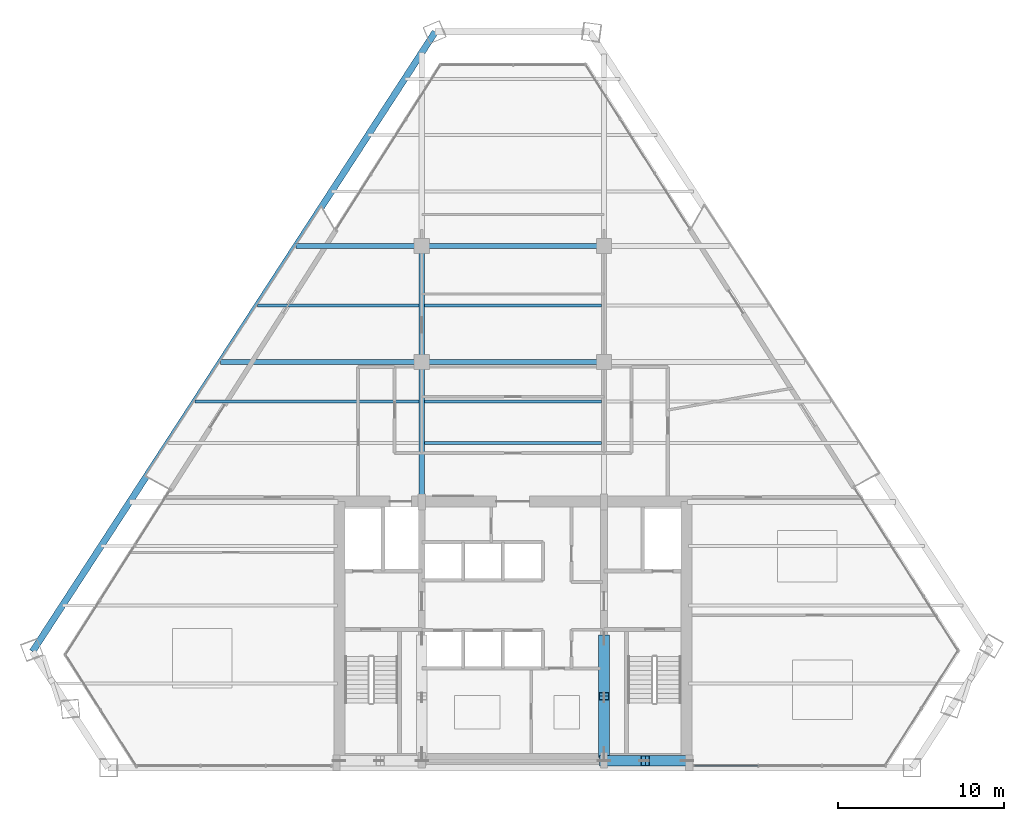
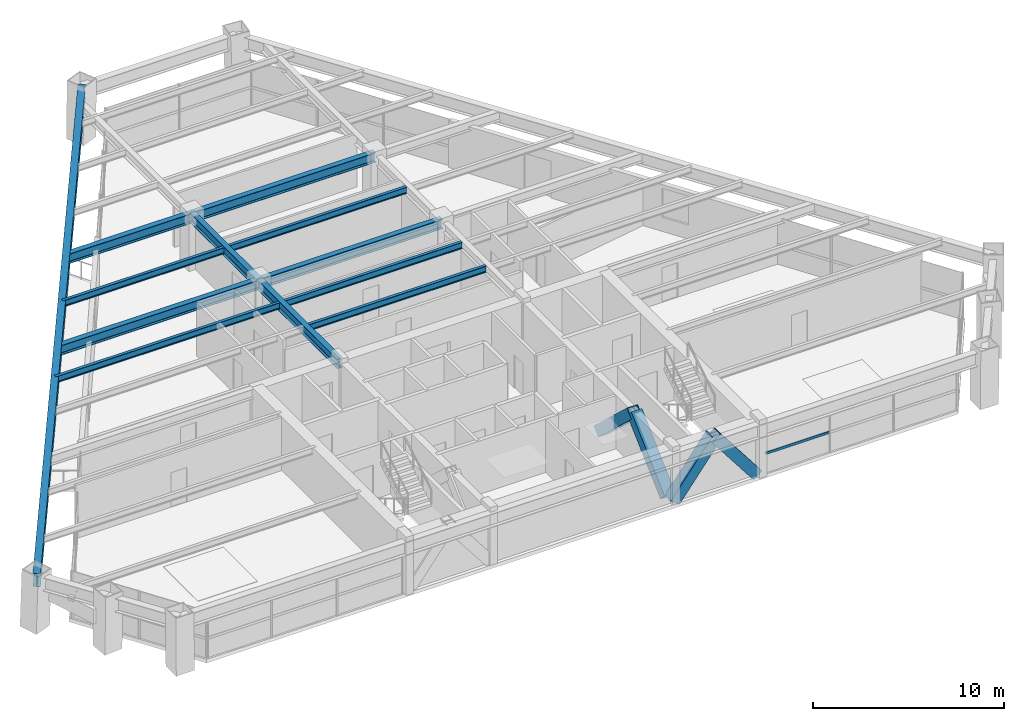
# One storey, part 5 of 15: 12 beams, 5 members, 1 element without a shape of its own.
"""IFC4 building model written with IfcOpenShell, lengths in metres."""

import ifcopenshell
import ifcopenshell.guid

model = None  # the IFC model being written
_history = None  # IfcOwnerHistory: only IFC2X3 demands one
_inside = {}  # id of a spatial element -> (the spatial element, [elements in it])
_under = {}  # id of a project, library or spatial element -> (it, [spatial elements below it])
_declared = {}  # id of a project -> (the project, [libraries it declares])
_typed = {}  # id of a type object -> (the type object, [elements of that type])
_made_of = {}  # id of a material, layer set ... -> (it, [elements and type objects made of it])


def new_model(schema):
    """Start an empty IFC model of exactly this schema.

    Asked for "IFC4X3", IfcOpenShell would pick the latest addendum, in which some entities
    have other attributes; the version numbers below select the first issue.
    IFC2X3 requires an IfcOwnerHistory on every rooted entity: one is made here for all.
    """
    global model, _history
    if schema == "IFC4X3":
        model = ifcopenshell.file(schema_version=(4, 3, 0, 0))
    else:
        model = ifcopenshell.file(schema=schema)
    _inside.clear()
    _under.clear()
    _declared.clear()
    _typed.clear()
    _made_of.clear()
    _history = None
    if model.schema == "IFC2X3":
        org = make("IfcOrganization", Name="unknown")
        user = make(
            "IfcPersonAndOrganization",
            ThePerson=make("IfcPerson", FamilyName="unknown"),
            TheOrganization=org,
        )
        app = make(
            "IfcApplication",
            ApplicationDeveloper=org,
            Version="unknown",
            ApplicationFullName="unknown",
            ApplicationIdentifier="unknown",
        )
        _history = make(
            "IfcOwnerHistory",
            OwningUser=user,
            OwningApplication=app,
            ChangeAction="ADDED",
            CreationDate=0,
        )
    return model


def make(cls, **values):
    """One entity of the class cls with the attributes given. An attribute that is None is left unset."""
    return model.create_entity(
        cls, **{name: value for name, value in values.items() if value is not None}
    )


def rooted(cls, **values):
    """An entity with a GlobalId (a new one), such as an element, a storey or a relation."""
    return make(cls, GlobalId=ifcopenshell.guid.new(), OwnerHistory=_history, **values)


def si_unit(unit_type, name, prefix=None):
    """IfcSIUnit, for example si_unit("LENGTHUNIT", "METRE", prefix="MILLI")."""
    return make("IfcSIUnit", UnitType=unit_type, Prefix=prefix, Name=name)


def assignment(units):
    """IfcUnitAssignment: the units of a project."""
    return None if units is None else make("IfcUnitAssignment", Units=units)


def point(xyz):
    """IfcCartesianPoint."""
    return None if xyz is None else make("IfcCartesianPoint", Coordinates=xyz)


def direction(xyz):
    """IfcDirection."""
    return None if xyz is None else make("IfcDirection", DirectionRatios=xyz)


def frame(location, z_axis=None, x_axis=None):
    """IfcAxis2Placement3D, a coordinate frame: its origin and axes. An axis left out is left unset."""
    return make(
        "IfcAxis2Placement3D",
        Location=point(location),
        Axis=direction(z_axis),
        RefDirection=direction(x_axis),
    )


def frame_2d(location, x_axis=None):
    """IfcAxis2Placement2D, a coordinate frame in the plane: its origin and x axis."""
    return make(
        "IfcAxis2Placement2D", Location=point(location), RefDirection=direction(x_axis)
    )


def origin():
    """The frame at (0, 0, 0) with its axes left unset."""
    return frame((0.0, 0.0, 0.0))


def origin_2d():
    """The frame at (0, 0) in the plane with its x axis left unset."""
    return frame_2d((0.0, 0.0))


def place(relative_to, where):
    """IfcLocalPlacement: puts the frame where relative to a parent placement (None: the world)."""
    return make(
        "IfcLocalPlacement", PlacementRelTo=relative_to, RelativePlacement=where
    )


def context(
    kind, dimensions, precision=None, world=None, true_north=None, identifier=None
):
    """IfcGeometricRepresentationContext, for example the 3D "Model" context."""
    return make(
        "IfcGeometricRepresentationContext",
        ContextIdentifier=identifier,
        ContextType=kind,
        CoordinateSpaceDimension=dimensions,
        Precision=precision,
        WorldCoordinateSystem=world,
        TrueNorth=true_north,
    )


def subcontext(parent, identifier, kind, view, scale=None):
    """IfcGeometricRepresentationSubContext, for example "Body" below "Model"."""
    return make(
        "IfcGeometricRepresentationSubContext",
        ContextIdentifier=identifier,
        ContextType=kind,
        ParentContext=parent,
        TargetScale=scale,
        TargetView=view,
    )


def project(units=None, contexts=None):
    """IfcProject with its units and contexts."""
    return rooted(
        "IfcProject",
        Name="project",
        RepresentationContexts=contexts,
        UnitsInContext=assignment(units),
    )


def spatial(cls, under=None, at=None, **own):
    """A site, building, storey or space (cls), placed at a placement, below another one or the project."""
    s = rooted(cls, ObjectPlacement=at, **own)
    if under is not None:
        _under.setdefault(under.id(), (under, []))[1].append(s)
    return s


def profile(cls, at=None, kind="AREA", **sizes):
    """A parametric profile (cls). Its sizes go by their IFC names, for example OverallWidth=200.0."""
    return make(cls, ProfileType=kind, Position=at, **sizes)


def rectangle(**sizes):
    """IfcRectangleProfileDef."""
    return profile("IfcRectangleProfileDef", **sizes)


def hollow_rectangle(**sizes):
    """IfcRectangleHollowProfileDef."""
    return profile("IfcRectangleHollowProfileDef", **sizes)


def i_section(**sizes):
    """IfcIShapeProfileDef."""
    return profile("IfcIShapeProfileDef", **sizes)


def extrude(swept, where, along, depth):
    """IfcExtrudedAreaSolid: the profile swept, set in the frame where, extruded along a direction by depth."""
    return make(
        "IfcExtrudedAreaSolid",
        SweptArea=swept,
        Position=where,
        ExtrudedDirection=direction(along),
        Depth=depth,
    )


def shape(context_of_items, identifier, shape_type, items):
    """IfcShapeRepresentation: the items that make up one representation, for example the "Body"."""
    return make(
        "IfcShapeRepresentation",
        ContextOfItems=context_of_items,
        RepresentationIdentifier=identifier,
        RepresentationType=shape_type,
        Items=items,
    )


def source(mapping_origin, context_of_items, identifier, shape_type, items):
    """IfcRepresentationMap: a shape defined once, which mapped items show again and again."""
    return make(
        "IfcRepresentationMap",
        MappingOrigin=mapping_origin,
        MappedRepresentation=shape(context_of_items, identifier, shape_type, items),
    )


def transform(
    local_origin,
    x_axis=None,
    y_axis=None,
    z_axis=None,
    scale=None,
    scale2=None,
    scale3=None,
    uniform=True,
):
    """IfcCartesianTransformationOperator3D, or its non-uniform kind. x_axis, y_axis, z_axis: its Axis1, 2, 3."""
    if uniform:
        return make(
            "IfcCartesianTransformationOperator3D",
            Axis1=direction(x_axis),
            Axis2=direction(y_axis),
            LocalOrigin=point(local_origin),
            Scale=scale,
            Axis3=direction(z_axis),
        )
    return make(
        "IfcCartesianTransformationOperator3DnonUniform",
        Axis1=direction(x_axis),
        Axis2=direction(y_axis),
        LocalOrigin=point(local_origin),
        Scale=scale,
        Axis3=direction(z_axis),
        Scale2=scale2,
        Scale3=scale3,
    )


def mapped(mapping_source, mapping_target):
    """IfcMappedItem: shows the shape of a source again, moved by a transform."""
    return make(
        "IfcMappedItem", MappingSource=mapping_source, MappingTarget=mapping_target
    )


def material(Name=None, Category=None):
    """IfcMaterial."""
    return make("IfcMaterial", Name=Name, Category=Category)


def material_profile(
    of_material, cross_section, Name=None, Category=None, Priority=None
):
    """IfcMaterialProfile: a cross section and its material."""
    return make(
        "IfcMaterialProfile",
        Name=Name,
        Material=of_material,
        Profile=cross_section,
        Priority=Priority,
        Category=Category,
    )


def profile_set(profiles, Name=None, composite=None):
    """IfcMaterialProfileSet."""
    return make(
        "IfcMaterialProfileSet",
        Name=Name,
        MaterialProfiles=profiles,
        CompositeProfile=composite,
    )


def made_of(thing, what):
    """Note that an element or type object is made of a material, layer set ...; save() writes the relation."""
    if what is not None:
        _made_of.setdefault(what.id(), (what, []))[1].append(thing)
    return thing


def type_object(cls, material=None, **own):
    """A type object (cls), such as IfcWallType, which elements share."""
    return made_of(rooted(cls, **own), material)


def type_shapes(of_type, sources):
    """Give a type object the sources (RepresentationMaps) that its elements show as mapped items."""
    of_type.RepresentationMaps = sources


def element(
    cls,
    number,
    at=None,
    inside=None,
    cuts=None,
    type_object=None,
    material=None,
    context=None,
    identifier="Body",
    shape_type=None,
    held_by="IfcProductDefinitionShape",
    body=None,
    shapes=None,
    **own,
):
    """One element of the class cls, such as IfcWall. Its Tag is "e" and its number.

    at: its placement. inside: the storey or other place that contains it. cuts: it is an
    opening in that element (IfcRelVoidsElement). A single representation is given by context,
    identifier, shape_type and body (its items); several are given by shapes. held_by: the class
    of the entity that holds the representations. save() writes the other relations.
    """
    e = rooted(cls, Tag="e%d" % number, ObjectPlacement=at, **own)
    if body is not None:
        shapes = [shape(context, identifier, shape_type, body)]
    if shapes is not None:
        e.Representation = make(held_by, Representations=shapes)
    if inside is not None:
        _inside.setdefault(inside.id(), (inside, []))[1].append(e)
    if cuts is not None:
        rooted(
            "IfcRelVoidsElement", RelatingBuildingElement=cuts, RelatedOpeningElement=e
        )
    if type_object is not None:
        _typed.setdefault(type_object.id(), (type_object, []))[1].append(e)
    return made_of(e, material)


def aggregate(whole, parts):
    """IfcRelAggregates: a whole, such as a stair, and the parts it consists of."""
    return rooted("IfcRelAggregates", RelatingObject=whole, RelatedObjects=parts)


def save(model, path):
    """Write the relations noted so far, then the file.

    IfcRelAggregates (storeys below a building ...), IfcRelContainedInSpatialStructure (elements
    in a storey), IfcRelDefinesByType, IfcRelAssociatesMaterial and IfcRelDeclares: one each for
    every whole, place, type object, material and project.
    """
    for whole, parts in _under.values():
        aggregate(whole, parts)
    for where, things in _inside.values():
        rooted(
            "IfcRelContainedInSpatialStructure",
            RelatedElements=things,
            RelatingStructure=where,
        )
    for kind, things in _typed.values():
        rooted("IfcRelDefinesByType", RelatedObjects=things, RelatingType=kind)
    for what, things in _made_of.values():
        rooted("IfcRelAssociatesMaterial", RelatedObjects=things, RelatingMaterial=what)
    for by, libraries in _declared.values():
        rooted("IfcRelDeclares", RelatingContext=by, RelatedDefinitions=libraries)
    model.write(path)


model = new_model("IFC4")

# Units and contexts
model_context = context("Model", 3, precision=1e-05, world=origin(), true_north=direction((0.0, 1.0)))
body_context = subcontext(model_context, "Body", "Model", "MODEL_VIEW")
ifc_project = project(units=[si_unit("LENGTHUNIT", "METRE"), si_unit("AREAUNIT", "SQUARE_METRE"), si_unit("VOLUMEUNIT", "CUBIC_METRE"), si_unit("PLANEANGLEUNIT", "RADIAN"), si_unit("MASSUNIT", "GRAM", prefix="KILO")], contexts=[model_context])

# Site, building, storey
site_placement = place(None, origin())
site = spatial("IfcSite", under=ifc_project, at=site_placement, CompositionType="ELEMENT")
building_placement = place(site_placement, origin())
building = spatial("IfcBuilding", under=site, at=building_placement, Name="Varnakhor Terracotta Tower", CompositionType="ELEMENT")
storey_placement = place(building_placement, frame((0.0, 0.0, 162.60009765625)))
storey = spatial("IfcBuildingStorey", under=building, at=storey_placement, Name="L41", CompositionType="ELEMENT", Elevation=162.60009765625)

# Beams
ifc_material_1 = material(Name="Steel S355", Category="steel")
ifc_material_profile_1 = material_profile(ifc_material_1, i_section(OverallWidth=0.324951171875, OverallDepth=0.615966796875, WebThickness=0.013916015625, FlangeThickness=0.02197265625, FilletRadius=0.01806640625, at=origin_2d()), Name="W24X117")
ifc_profile_set_1 = profile_set([ifc_material_profile_1], Name="Steel S355")
beam_type_1 = type_object("IfcBeamType", Name="BM-W24X117", PredefinedType="BEAM", material=ifc_profile_set_1)
shared_shape_1 = source(origin(), body_context, "Body", "SweptSolid", [
    extrude(i_section(OverallWidth=0.324951171875, OverallDepth=0.615966796875, WebThickness=0.013916015625, FlangeThickness=0.02197265625, FilletRadius=0.01806640625, at=origin_2d()), origin(), (0.0, 0.0, 1.0), 8.449951171875),
])
type_shapes(beam_type_1, [shared_shape_1])
beam_1_placement = place(storey_placement, frame((-5.5, 16.050048828125, 3.091796875), z_axis=(0.0, 1.0, 0.0), x_axis=(-1.0, 0.0, 0.0)))
element("IfcBeam", 1, at=beam_1_placement, inside=storey, type_object=beam_type_1, Name="L41 Primary Girder NS1-W", PredefinedType="BEAM", context=body_context, shape_type="MappedRepresentation", body=[
    mapped(shared_shape_1, transform((0.0, 0.0, 0.0), scale=1.0)),
])
shared_shape_2 = source(origin(), body_context, "Body", "SweptSolid", [
    extrude(i_section(OverallWidth=0.324951171875, OverallDepth=0.615966796875, WebThickness=0.013916015625, FlangeThickness=0.02197265625, FilletRadius=0.01806640625, at=origin_2d()), origin(), (0.0, 0.0, 1.0), 7.0),
])
beam_2_placement = place(storey_placement, frame((-5.5, 24.5, 3.091796875), z_axis=(0.0, 1.0, 0.0), x_axis=(-1.0, 0.0, 0.0)))
element("IfcBeam", 2, at=beam_2_placement, inside=storey, type_object=beam_type_1, Name="L41 Primary Girder NS2-W", PredefinedType="BEAM", context=body_context, shape_type="MappedRepresentation", body=[
    mapped(shared_shape_2, transform((0.0, 0.0, 0.0), scale=1.0)),
])
shared_shape_3 = source(origin(), body_context, "Body", "SweptSolid", [
    extrude(i_section(OverallWidth=0.324951171875, OverallDepth=0.615966796875, WebThickness=0.013916015625, FlangeThickness=0.02197265625, FilletRadius=0.01806640625, at=origin_2d()), origin(), (0.0, 0.0, 1.0), 11.0),
])
for number, where, z_axis, x_axis, name in (
    (3, (-5.5, 24.5, 3.091796875), (1.0, 0.0, 0.0), (0.0, 1.0, 0.0), "L41 Primary Girder EW2-2"),
    (4, (-5.5, 31.5, 3.091796875), (1.0, 0.0, 0.0), (0.0, 1.0, 0.0), "L41 Primary Girder EW3-2"),
):
    element("IfcBeam", number, at=place(storey_placement, frame(where, z_axis=z_axis, x_axis=x_axis)), inside=storey, type_object=beam_type_1, Name=name, PredefinedType="BEAM", context=body_context, shape_type="MappedRepresentation", body=[
        mapped(shared_shape_3, transform((0.0, 0.0, 0.0), scale=1.0)),
    ])
ifc_material_profile_2 = material_profile(ifc_material_1, i_section(OverallWidth=0.179931640625, OverallDepth=0.4130859375, WebThickness=0.009765625, FlangeThickness=0.01611328125, FilletRadius=0.01806640625, at=origin_2d()), Name="W16X50")
ifc_profile_set_2 = profile_set([ifc_material_profile_2], Name="Steel S355")
beam_type_2 = type_object("IfcBeamType", Name="JST-W16X50", PredefinedType="JOIST", material=ifc_profile_set_2)
shared_shape_4 = source(origin(), body_context, "Body", "SweptSolid", [
    extrude(i_section(OverallWidth=0.179931640625, OverallDepth=0.4130859375, WebThickness=0.009765625, FlangeThickness=0.01611328125, FilletRadius=0.01806640625, at=origin_2d()), origin(), (0.0, 0.0, 1.0), 10.68310546875),
])
for number, where, z_axis, x_axis, name in (
    (5, (-5.341552734375, 19.60009765625, 3.193359375), (1.0, 0.0, 0.0), (0.0, 1.0, 0.0), "L41 Composite Floor Joist 4-2"),
    (6, (-5.341552734375, 22.10009765625, 3.193359375), (1.0, 0.0, 0.0), (0.0, 1.0, 0.0), "L41 Composite Floor Joist 5-2"),
    (7, (-5.341552734375, 27.89990234375, 3.193359375), (1.0, 0.0, 0.0), (0.0, 1.0, 0.0), "L41 Composite Floor Joist 6-2"),
):
    element("IfcBeam", number, at=place(storey_placement, frame(where, z_axis=z_axis, x_axis=x_axis)), inside=storey, type_object=beam_type_2, Name=name, PredefinedType="JOIST", context=body_context, shape_type="MappedRepresentation", body=[
        mapped(shared_shape_4, transform((0.0, 0.0, 0.0), scale=1.0)),
    ])
ifc_material_profile_3 = material_profile(ifc_material_1, i_section(OverallWidth=0.39990234375, OverallDepth=0.85498046875, WebThickness=0.01806640625, FlangeThickness=0.029052734375, FilletRadius=0.01806640625, at=origin_2d()), Name="W33X201")
ifc_profile_set_3 = profile_set([ifc_material_profile_3], Name="Steel S355")
beam_type_3 = type_object("IfcBeamType", Name="BM-W33X201", PredefinedType="BEAM", material=ifc_profile_set_3)
shared_shape_5 = source(origin(), body_context, "Body", "SweptSolid", [
    extrude(i_section(OverallWidth=0.39990234375, OverallDepth=0.85498046875, WebThickness=0.01806640625, FlangeThickness=0.029052734375, FilletRadius=0.01806640625, at=origin_2d()), origin(), (0.0, 0.0, 1.0), 44.621337890625),
])
beam_3_placement = place(storey_placement, frame((-4.689208984375, 44.428955078125, 2.972412109375), z_axis=(-0.544983350369, -0.838446866426, 0.0), x_axis=(0.838446866426, -0.544983350369, 0.0)))
element("IfcBeam", 8, at=beam_3_placement, inside=storey, type_object=beam_type_3, Name="L41 Perimeter Spandrel 6", PredefinedType="BEAM", context=body_context, shape_type="MappedRepresentation", body=[
    mapped(shared_shape_5, transform((0.0, 0.0, 0.0), scale=1.0)),
])
shared_shape_6 = source(origin(), body_context, "Body", "SweptSolid", [
    extrude(i_section(OverallWidth=0.324951171875, OverallDepth=0.615966796875, WebThickness=0.013916015625, FlangeThickness=0.02197265625, FilletRadius=0.01806640625, at=origin_2d()), origin(), (0.0, 0.0, 1.0), 12.142822265625),
])
beam_4_placement = place(storey_placement, frame((-17.642822265625, 24.5, 3.091796875), z_axis=(1.0, 0.0, 0.0), x_axis=(0.0, 1.0, 0.0)))
element("IfcBeam", 9, at=beam_4_placement, inside=storey, type_object=beam_type_1, Name="L41 Primary Girder EW2-1", PredefinedType="BEAM", context=body_context, shape_type="MappedRepresentation", body=[
    mapped(shared_shape_6, transform((0.0, 0.0, 0.0), scale=1.0)),
])
shared_shape_7 = source(origin(), body_context, "Body", "SweptSolid", [
    extrude(i_section(OverallWidth=0.324951171875, OverallDepth=0.615966796875, WebThickness=0.013916015625, FlangeThickness=0.02197265625, FilletRadius=0.01806640625, at=origin_2d()), origin(), (0.0, 0.0, 1.0), 7.593017578125),
])
beam_5_placement = place(storey_placement, frame((-13.093017578125, 31.5, 3.091796875), z_axis=(1.0, 0.0, 0.0), x_axis=(0.0, 1.0, 0.0)))
element("IfcBeam", 10, at=beam_5_placement, inside=storey, type_object=beam_type_1, Name="L41 Primary Girder EW3-1", PredefinedType="BEAM", context=body_context, shape_type="MappedRepresentation", body=[
    mapped(shared_shape_7, transform((0.0, 0.0, 0.0), scale=1.0)),
])
shared_shape_8 = source(origin(), body_context, "Body", "SweptSolid", [
    extrude(i_section(OverallWidth=0.179931640625, OverallDepth=0.4130859375, WebThickness=0.009765625, FlangeThickness=0.01611328125, FilletRadius=0.01806640625, at=origin_2d()), origin(), (0.0, 0.0, 1.0), 13.54443359375),
])
beam_6_placement = place(storey_placement, frame((-19.202880859375, 22.10009765625, 3.193359375), z_axis=(1.0, 0.0, 0.0), x_axis=(0.0, 1.0, 0.0)))
element("IfcBeam", 11, at=beam_6_placement, inside=storey, type_object=beam_type_2, Name="L41 Composite Floor Joist 5-1", PredefinedType="JOIST", context=body_context, shape_type="MappedRepresentation", body=[
    mapped(shared_shape_8, transform((0.0, 0.0, 0.0), scale=1.0)),
])
shared_shape_9 = source(origin(), body_context, "Body", "SweptSolid", [
    extrude(i_section(OverallWidth=0.179931640625, OverallDepth=0.4130859375, WebThickness=0.009765625, FlangeThickness=0.01611328125, FilletRadius=0.01806640625, at=origin_2d()), origin(), (0.0, 0.0, 1.0), 9.7744140625),
])
beam_7_placement = place(storey_placement, frame((-15.432861328125, 27.89990234375, 3.193359375), z_axis=(1.0, 0.0, 0.0), x_axis=(0.0, 1.0, 0.0)))
element("IfcBeam", 12, at=beam_7_placement, inside=storey, type_object=beam_type_2, Name="L41 Composite Floor Joist 6-1", PredefinedType="JOIST", context=body_context, shape_type="MappedRepresentation", body=[
    mapped(shared_shape_9, transform((0.0, 0.0, 0.0), scale=1.0)),
])

# Members
ifc_material_2 = material(Name="Steel S460", Category="steel")
ifc_material_profile_4 = material_profile(ifc_material_2, hollow_rectangle(XDim=0.64990234375, YDim=0.64990234375, WallThickness=0.0400390625, at=origin_2d()), Name="HSS650X650X40")
ifc_profile_set_4 = profile_set([ifc_material_profile_4], Name="Steel S460")
member_type_1 = type_object("IfcMemberType", Name="MBR-MEGA-650", PredefinedType="BRACE", material=ifc_profile_set_4)
shared_shape_10 = source(origin(), body_context, "Body", "SweptSolid", [
    extrude(hollow_rectangle(XDim=0.64990234375, YDim=0.64990234375, WallThickness=0.0400390625, at=origin_2d()), origin(), (0.0, 0.0, 1.0), 4.100341796875),
])
for number, where, z_axis, x_axis, name in (
    (13, (5.5, 0.419921875, 0.0), (0.60971076085, 0.0, 0.792623989105), (0.0, 1.0, 0.0), "L41 Core Coupled Brace CSEA"),
    (14, (10.5, 0.419921875, 0.0), (-0.60971076085, 0.0, 0.792623989105), (0.0, -1.0, 0.0), "L41 Core Coupled Brace CSEB"),
):
    element("IfcMember", number, at=place(storey_placement, frame(where, z_axis=z_axis, x_axis=x_axis)), inside=storey, type_object=member_type_1, Name=name, PredefinedType="BRACE", context=body_context, shape_type="MappedRepresentation", body=[
        mapped(shared_shape_10, transform((0.0, 0.0, 0.0), scale=1.0)),
    ])
shared_shape_11 = source(origin(), body_context, "Body", "SweptSolid", [
    extrude(hollow_rectangle(XDim=0.64990234375, YDim=0.64990234375, WallThickness=0.0400390625, at=origin_2d()), origin(), (0.0, 0.0, 1.0), 4.7578125),
])
member_1_placement = place(storey_placement, frame((5.5, 0.85009765625, 0.0), z_axis=(0.0, 0.730341602329, 0.683082091632), x_axis=(-1.0, 0.0, 0.0)))
element("IfcMember", 15, at=member_1_placement, inside=storey, type_object=member_type_1, Name="L41 Core Coupled Brace CWEA", PredefinedType="BRACE", context=body_context, shape_type="MappedRepresentation", body=[
    mapped(shared_shape_11, transform((0.0, 0.0, 0.0), scale=1.0)),
])
shared_shape_12 = source(origin(), body_context, "Body", "SweptSolid", [
    extrude(hollow_rectangle(XDim=0.64990234375, YDim=0.64990234375, WallThickness=0.0400390625, at=origin_2d()), origin(), (0.0, 0.0, 1.0), 4.758056640625),
])
member_2_placement = place(storey_placement, frame((5.5, 7.800048828125, 0.0), z_axis=(0.0, -0.730365543808, 0.683056492846), x_axis=(1.0, 0.0, 0.0)))
element("IfcMember", 16, at=member_2_placement, inside=storey, type_object=member_type_1, Name="L41 Core Coupled Brace CWEB", PredefinedType="BRACE", context=body_context, shape_type="MappedRepresentation", body=[
    mapped(shared_shape_12, transform((0.0, 0.0, 0.0), scale=1.0)),
])

# Curtain wall, member
ifc_material_3 = material(Name="Anodised Aluminium Curtain Wall System", Category="aluminium")
curtain_wall_type = type_object("IfcCurtainWallType", Name="CW-SYS-MID-OFFICE", PredefinedType="NOTDEFINED", material=ifc_material_3)
curtain_wall_placement = place(storey_placement, origin())
curtain_wall = element("IfcCurtainWall", 17, at=curtain_wall_placement, inside=storey, type_object=curtain_wall_type, Name="L41 South Wing Curtain Wall SSE", PredefinedType="NOTDEFINED")
ifc_material_4 = material(Name="Anodised Aluminium 6063-T6", Category="aluminium")
ifc_material_profile_5 = material_profile(ifc_material_4, rectangle(XDim=0.070068359375, YDim=0.155029296875, at=origin_2d()), Name="ALU TRANSOM 70x155")
ifc_profile_set_5 = profile_set([ifc_material_profile_5], Name="Anodised Aluminium 6063-T6")
member_type_2 = type_object("IfcMemberType", Name="CWT-03", PredefinedType="USERDEFINED", material=ifc_profile_set_5)
shared_shape_13 = source(origin(), body_context, "Body", "SweptSolid", [
    extrude(rectangle(XDim=0.070068359375, YDim=0.155029296875, at=origin_2d()), origin(), (0.0, 0.0, 1.0), 3.84619140625),
])
member_3_placement = place(storey_placement, frame((14.816162109375, 0.1201171875, 1.25146484375), z_axis=(-1.0, 0.0, 0.0), x_axis=(0.0, -1.0, 0.0)))
member_3 = element("IfcMember", 18, at=member_3_placement, type_object=member_type_2, Name="L41 South Wing Curtain Wall SSE Transom 3", ObjectType="TRANSOM", PredefinedType="USERDEFINED", context=body_context, shape_type="MappedRepresentation", body=[
    mapped(shared_shape_13, transform((0.0, 0.0, 0.0), scale=1.0)),
])
aggregate(curtain_wall, [member_3])

save(model, "model.ifc")
